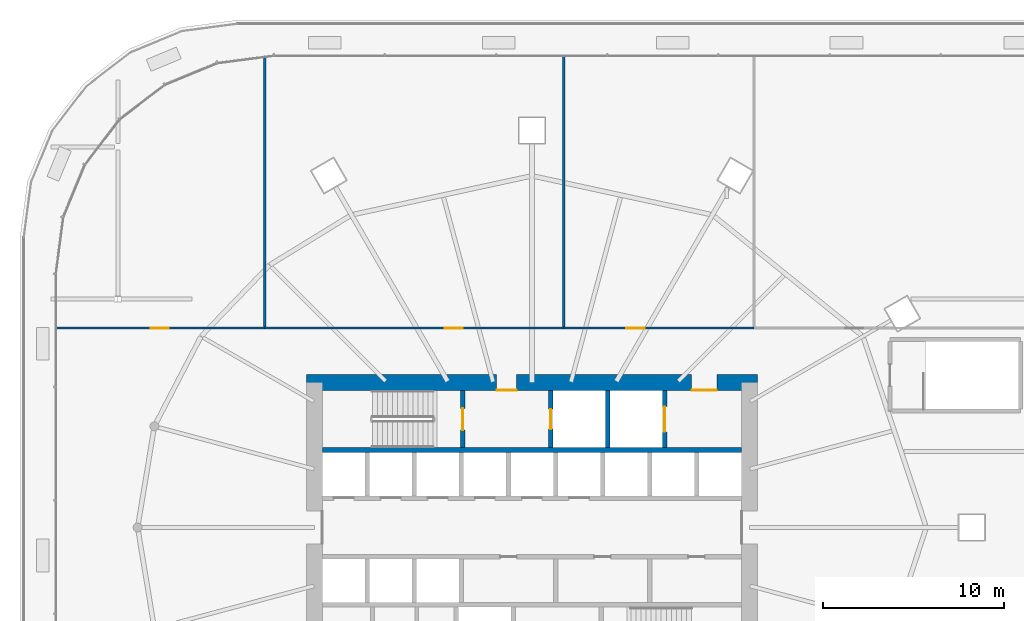
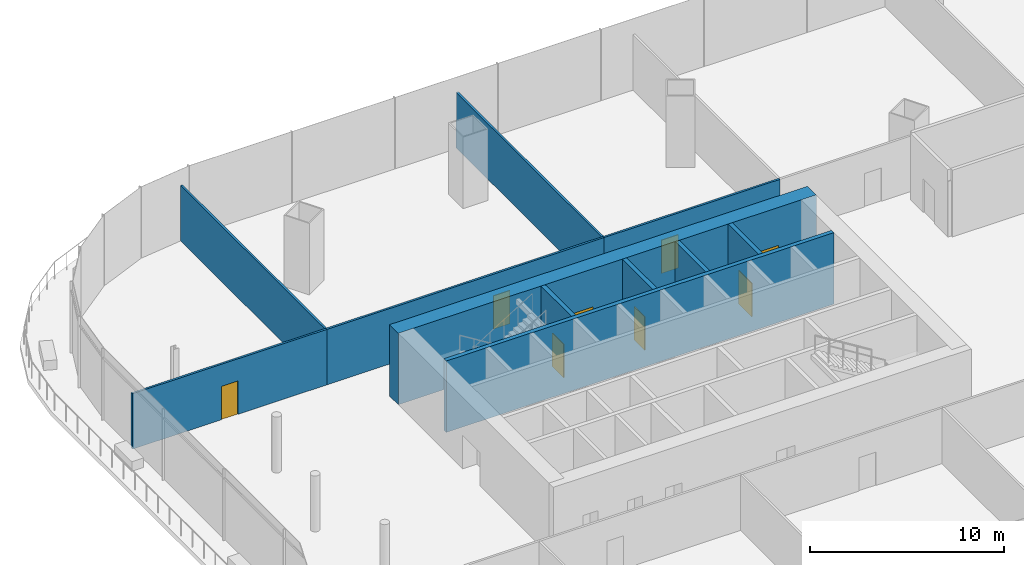
# One storey, part 34 of 49: 11 walls, 8 doors, 8 openings.
"""IFC4 building model written with IfcOpenShell, lengths in metres."""

from ifc_helpers import new_model, si_unit, direction, frame, frame_2d, origin, place, context, subcontext, project, spatial, rectangle, extrude, material, layer, layer_set, type_object, element, fill, save


model = new_model("IFC4")

# Units and contexts
model_context = context("Model", 3, precision=1e-05, world=origin(), true_north=direction((0.0, 1.0)))
body_context = subcontext(model_context, "Body", "Model", "MODEL_VIEW")
ifc_project = project(units=[si_unit("LENGTHUNIT", "METRE"), si_unit("AREAUNIT", "SQUARE_METRE"), si_unit("VOLUMEUNIT", "CUBIC_METRE"), si_unit("PLANEANGLEUNIT", "RADIAN"), si_unit("MASSUNIT", "GRAM", prefix="KILO")], contexts=[model_context])

# Site, building, storey
site_placement = place(None, origin())
site = spatial("IfcSite", under=ifc_project, at=site_placement, CompositionType="ELEMENT")
building_placement = place(site_placement, origin())
building = spatial("IfcBuilding", under=site, at=building_placement, Name="Rimbun Link Towers", CompositionType="ELEMENT")
storey_placement = place(building_placement, frame((0.0, 0.0, 25.5)))
storey = spatial("IfcBuildingStorey", under=building, at=storey_placement, Name="L05", CompositionType="ELEMENT", Elevation=25.5)

# Wall, openings, doors
ifc_material_1 = material(Name="Concrete C60/75", Category="concrete")
ifc_layer_1 = layer(ifc_material_1, 0.89990234375)
ifc_layer_set_1 = layer_set([ifc_layer_1], Name="Core shear wall 900")
wall_type_1 = type_object("IfcWallType", Name="Core shear wall 900", PredefinedType="SHEAR", material=ifc_layer_set_1)
wall_1_placement = place(storey_placement, frame((-44.199951171875, 8.0, 0.0), z_axis=(0.0, 0.0, 1.0), x_axis=(1.0, 0.0, 0.0)))
wall_1 = element("IfcWall", 1, at=wall_1_placement, inside=storey, type_object=wall_type_1, Name="L05 T1 core wall N", PredefinedType="SHEAR", context=body_context, shape_type="SweptSolid", body=[
    extrude(rectangle(XDim=24.89990234375, YDim=0.89990234375, at=frame_2d((12.449951171875, 0.0))), origin(), (0.0, 0.0, 1.0), 4.5),
])
opening_1_placement = place(wall_1_placement, frame((10.5, 0.0, 0.0)))
opening_1 = element("IfcOpeningElement", 2, at=opening_1_placement, cuts=wall_1, Name="Opening C1DCF01N", PredefinedType="OPENING", context=body_context, shape_type="SweptSolid", body=[
    extrude(rectangle(XDim=1.10009765625, YDim=2.10009765625, at=frame_2d((0.550048828125, 1.050048828125))), frame((0.0, 0.4599609375, 0.0), z_axis=(0.0, -1.0, 0.0), x_axis=(1.0, 0.0, 0.0)), (0.0, 0.0, 1.0), 0.919921875),
])
opening_2_placement = place(wall_1_placement, frame((21.25, 0.0, 0.0)))
opening_2 = element("IfcOpeningElement", 3, at=opening_2_placement, cuts=wall_1, Name="Opening C1DSL02N", PredefinedType="OPENING", context=body_context, shape_type="SweptSolid", body=[
    extrude(rectangle(XDim=1.39990234375, YDim=2.10009765625, at=frame_2d((0.699951171875, 1.050048828125))), frame((0.0, 0.4599609375, 0.0), z_axis=(0.0, -1.0, 0.0), x_axis=(1.0, 0.0, 0.0)), (0.0, 0.0, 1.0), 0.919921875),
])
ifc_material_2 = material(Name="Steel fire door set", Category="steel")
door_type_1 = type_object("IfcDoorType", Name="Core fire door single", OperationType="SINGLE_SWING_LEFT", PredefinedType="DOOR", material=ifc_material_2)
door_1_placement = place(opening_1_placement, origin())
door_1 = element("IfcDoor", 4, at=door_1_placement, inside=storey, type_object=door_type_1, Name="L05 T1 firefighting lobby n door", OperationType="SINGLE_SWING_LEFT", OverallHeight=2.10009765625, OverallWidth=1.10009765625, PredefinedType="DOOR", context=body_context, shape_type="SweptSolid", body=[
    extrude(rectangle(XDim=1.10009765625, YDim=2.10009765625, at=frame_2d((0.550048828125, 1.050048828125))), frame((0.0, -0.39990234375, 0.0), z_axis=(0.0, -1.0, 0.0), x_axis=(1.0, 0.0, 0.0)), (0.0, 0.0, 1.0), 0.050048828125),
])
fill(opening_1, door_1)
ifc_material_3 = material(Name="Steel fire door set", Category="steel")
door_type_2 = type_object("IfcDoorType", Name="Service lobby door double", OperationType="DOUBLE_DOOR_SINGLE_SWING", PredefinedType="DOOR", material=ifc_material_3)
door_2_placement = place(opening_2_placement, origin())
door_2 = element("IfcDoor", 5, at=door_2_placement, inside=storey, type_object=door_type_2, Name="L05 T1 service lobby door", OperationType="DOUBLE_DOOR_SINGLE_SWING", OverallHeight=2.10009765625, OverallWidth=1.39990234375, PredefinedType="DOOR", context=body_context, shape_type="SweptSolid", body=[
    extrude(rectangle(XDim=1.39990234375, YDim=2.10009765625, at=frame_2d((0.699951171875, 1.050048828125))), frame((0.0, -0.39990234375, 0.0), z_axis=(0.0, -1.0, 0.0), x_axis=(1.0, 0.0, 0.0)), (0.0, 0.0, 1.0), 0.050048828125),
])
fill(opening_2, door_2)

# Wall, opening, door
ifc_material_4 = material(Name="Gypsum board on steel studs", Category="steel")
ifc_layer_2 = layer(ifc_material_4, 0.125)
ifc_layer_set_2 = layer_set([ifc_layer_2], Name="Partition 125 board on studs")
wall_type_2 = type_object("IfcWallType", Name="Partition 125 board on studs", PredefinedType="PARTITIONING", material=ifc_layer_set_2)
wall_2_placement = place(storey_placement, frame((-46.5, 11.0, 0.0), z_axis=(0.0, 0.0, 1.0), x_axis=(-1.0, 0.0, 0.0)))
wall_2 = element("IfcWall", 6, at=wall_2_placement, inside=storey, type_object=wall_type_2, Name="PD/PW/L05/038", PredefinedType="PARTITIONING", context=body_context, shape_type="SweptSolid", body=[
    extrude(rectangle(XDim=11.580078125, YDim=0.125, at=frame_2d((5.7900390625, 0.0))), origin(), (0.0, 0.0, 1.0), 3.49609375),
])
opening_3_placement = place(wall_2_placement, frame((5.2900390625, 0.0, 0.0)))
opening_3 = element("IfcOpeningElement", 7, at=opening_3_placement, cuts=wall_2, Name="Opening PD D05.16", PredefinedType="OPENING", context=body_context, shape_type="SweptSolid", body=[
    extrude(rectangle(XDim=1.0, YDim=2.10009765625, at=frame_2d((0.5, 1.050048828125))), frame((0.0, 0.072509765625, 0.0), z_axis=(0.0, -1.0, 0.0), x_axis=(1.0, 0.0, 0.0)), (0.0, 0.0, 1.0), 0.14501953125),
])
ifc_material_5 = material(Name="Timber door set", Category="wood")
door_type_3 = type_object("IfcDoorType", Name="Door single leaf 1000 x 2100", OperationType="NOTDEFINED", PredefinedType="DOOR", material=ifc_material_5)
door_3_placement = place(opening_3_placement, origin())
door_3 = element("IfcDoor", 8, at=door_3_placement, inside=storey, type_object=door_type_3, Name="PD/DR/L05/016", OperationType="SINGLE_SWING_LEFT", OverallHeight=2.10009765625, OverallWidth=1.0, PredefinedType="DOOR", context=body_context, shape_type="SweptSolid", body=[
    extrude(rectangle(XDim=1.0, YDim=2.10009765625, at=frame_2d((0.5, 1.050048828125))), frame((0.0, 0.02490234375, 0.0), z_axis=(0.0, -1.0, 0.0), x_axis=(1.0, 0.0, 0.0)), (0.0, 0.0, 1.0), 0.050048828125),
])
fill(opening_3, door_3)

wall_3_placement = place(storey_placement, frame((-30.0, 11.0, 0.0), z_axis=(0.0, 0.0, 1.0), x_axis=(-1.0, 0.0, 0.0)))
wall_3 = element("IfcWall", 9, at=wall_3_placement, inside=storey, type_object=wall_type_2, Name="PD/PW/L05/039", PredefinedType="PARTITIONING", context=body_context, shape_type="SweptSolid", body=[
    extrude(rectangle(XDim=16.5, YDim=0.125, at=frame_2d((8.25, 0.0))), origin(), (0.0, 0.0, 1.0), 3.49609375),
])
opening_4_placement = place(wall_3_placement, frame((5.56005859375, 0.0, 0.0)))
opening_4 = element("IfcOpeningElement", 10, at=opening_4_placement, cuts=wall_3, Name="Opening PD D05.17", PredefinedType="OPENING", context=body_context, shape_type="SweptSolid", body=[
    extrude(rectangle(XDim=1.0, YDim=2.10009765625, at=frame_2d((0.5, 1.050048828125))), frame((0.0, 0.072509765625, 0.0), z_axis=(0.0, -1.0, 0.0), x_axis=(1.0, 0.0, 0.0)), (0.0, 0.0, 1.0), 0.14501953125),
])
door_4_placement = place(opening_4_placement, origin())
door_4 = element("IfcDoor", 11, at=door_4_placement, inside=storey, type_object=door_type_3, Name="PD/DR/L05/017", OperationType="SINGLE_SWING_RIGHT", OverallHeight=2.10009765625, OverallWidth=1.0, PredefinedType="DOOR", context=body_context, shape_type="SweptSolid", body=[
    extrude(rectangle(XDim=1.0, YDim=2.10009765625, at=frame_2d((0.5, 1.050048828125))), frame((0.0, 0.02490234375, 0.0), z_axis=(0.0, -1.0, 0.0), x_axis=(1.0, 0.0, 0.0)), (0.0, 0.0, 1.0), 0.050048828125),
])
fill(opening_4, door_4)

wall_4_placement = place(storey_placement, frame((-19.5, 11.0, 0.0), z_axis=(0.0, 0.0, 1.0), x_axis=(-1.0, 0.0, 0.0)))
wall_4 = element("IfcWall", 12, at=wall_4_placement, inside=storey, type_object=wall_type_2, Name="PD/PW/L05/040", PredefinedType="PARTITIONING", context=body_context, shape_type="SweptSolid", body=[
    extrude(rectangle(XDim=10.5, YDim=0.125, at=frame_2d((5.25, 0.0))), origin(), (0.0, 0.0, 1.0), 3.49609375),
])
opening_5_placement = place(wall_4_placement, frame((6.0400390625, 0.0, 0.0)))
opening_5 = element("IfcOpeningElement", 13, at=opening_5_placement, cuts=wall_4, Name="Opening PD D05.18", PredefinedType="OPENING", context=body_context, shape_type="SweptSolid", body=[
    extrude(rectangle(XDim=1.0, YDim=2.10009765625, at=frame_2d((0.5, 1.050048828125))), frame((0.0, 0.072509765625, 0.0), z_axis=(0.0, -1.0, 0.0), x_axis=(1.0, 0.0, 0.0)), (0.0, 0.0, 1.0), 0.14501953125),
])
door_5_placement = place(opening_5_placement, origin())
door_5 = element("IfcDoor", 14, at=door_5_placement, inside=storey, type_object=door_type_3, Name="PD/DR/L05/018", OperationType="SINGLE_SWING_LEFT", OverallHeight=2.10009765625, OverallWidth=1.0, PredefinedType="DOOR", context=body_context, shape_type="SweptSolid", body=[
    extrude(rectangle(XDim=1.0, YDim=2.10009765625, at=frame_2d((0.5, 1.050048828125))), frame((0.0, 0.02490234375, 0.0), z_axis=(0.0, -1.0, 0.0), x_axis=(1.0, 0.0, 0.0)), (0.0, 0.0, 1.0), 0.050048828125),
])
fill(opening_5, door_5)

# Walls
wall_5_placement = place(storey_placement, frame((-46.5, 11.0625, 0.0), z_axis=(0.0, 0.0, 1.0), x_axis=(0.0, 1.0, 0.0)))
element("IfcWall", 15, at=wall_5_placement, inside=storey, type_object=wall_type_2, Name="PD/PW/L05/068", PredefinedType="PARTITIONING", context=body_context, shape_type="SweptSolid", body=[
    extrude(rectangle(XDim=14.87158203125, YDim=0.125, at=frame_2d((7.435791015625, 0.0))), origin(), (0.0, 0.0, 1.0), 3.49609375),
])
wall_6_placement = place(storey_placement, frame((-30.0, 11.0625, 0.0), z_axis=(0.0, 0.0, 1.0), x_axis=(0.0, 1.0, 0.0)))
element("IfcWall", 16, at=wall_6_placement, inside=storey, type_object=wall_type_2, Name="PD/PW/L05/069", PredefinedType="PARTITIONING", context=body_context, shape_type="SweptSolid", body=[
    extrude(rectangle(XDim=15.017578125, YDim=0.125, at=frame_2d((7.5087890625, 0.0))), origin(), (0.0, 0.0, 1.0), 3.49609375),
])
ifc_material_6 = material(Name="Concrete C60/75", Category="concrete")
ifc_layer_3 = layer(ifc_material_6, 0.25)
ifc_layer_set_3 = layer_set([ifc_layer_3], Name="Shaft wall 250")
wall_type_3 = type_object("IfcWallType", Name="Shaft wall 250", PredefinedType="SHEAR", material=ifc_layer_set_3)
wall_7_placement = place(storey_placement, frame((-43.300048828125, 4.27490234375, 0.0), z_axis=(0.0, 0.0, 1.0), x_axis=(1.0, 0.0, 0.0)))
element("IfcWall", 17, at=wall_7_placement, inside=storey, type_object=wall_type_3, Name="L05 T1 core wall BN", PredefinedType="SHEAR", context=body_context, shape_type="SweptSolid", body=[
    extrude(rectangle(XDim=23.10009765625, YDim=0.25, at=frame_2d((11.550048828125, 0.0))), origin(), (0.0, 0.0, 1.0), 4.5),
])

# Wall, opening, door
wall_8_placement = place(storey_placement, frame((-35.574951171875, 4.39990234375, 0.0), z_axis=(0.0, 0.0, 1.0), x_axis=(0.0, 1.0, 0.0)))
wall_8 = element("IfcWall", 18, at=wall_8_placement, inside=storey, type_object=wall_type_3, Name="L05 T1 core wall A1", PredefinedType="SHEAR", context=body_context, shape_type="SweptSolid", body=[
    extrude(rectangle(XDim=3.150146484375, YDim=0.25, at=frame_2d((1.5751953125, 0.0))), origin(), (0.0, 0.0, 1.0), 4.5),
])
opening_6_placement = place(wall_8_placement, frame((0.97509765625, 0.0, 0.0)))
opening_6 = element("IfcOpeningElement", 19, at=opening_6_placement, cuts=wall_8, Name="Opening C1DST01A1", PredefinedType="OPENING", context=body_context, shape_type="SweptSolid", body=[
    extrude(rectangle(XDim=1.199951171875, YDim=2.10009765625, at=frame_2d((0.60009765625, 1.050048828125))), frame((0.0, 0.135009765625, 0.0), z_axis=(0.0, -1.0, 0.0), x_axis=(1.0, 0.0, 0.0)), (0.0, 0.0, 1.0), 0.27001953125),
])
ifc_material_7 = material(Name="Steel fire door set", Category="steel")
door_type_4 = type_object("IfcDoorType", Name="Stair door", OperationType="SINGLE_SWING_LEFT", PredefinedType="DOOR", material=ifc_material_7)
door_6_placement = place(opening_6_placement, origin())
door_6 = element("IfcDoor", 20, at=door_6_placement, inside=storey, type_object=door_type_4, Name="L05 T1 stair a door", OperationType="SINGLE_SWING_RIGHT", OverallHeight=2.10009765625, OverallWidth=1.199951171875, PredefinedType="DOOR", context=body_context, shape_type="SweptSolid", body=[
    extrude(rectangle(XDim=1.199951171875, YDim=2.10009765625, at=frame_2d((0.60009765625, 1.050048828125))), frame((0.0, 0.02490234375, 0.0), z_axis=(0.0, -1.0, 0.0), x_axis=(1.0, 0.0, 0.0)), (0.0, 0.0, 1.0), 0.050048828125),
])
fill(opening_6, door_6)

wall_9_placement = place(storey_placement, frame((-30.72509765625, 4.39990234375, 0.0), z_axis=(0.0, 0.0, 1.0), x_axis=(0.0, 1.0, 0.0)))
wall_9 = element("IfcWall", 21, at=wall_9_placement, inside=storey, type_object=wall_type_3, Name="L05 T1 core wall A2", PredefinedType="SHEAR", context=body_context, shape_type="SweptSolid", body=[
    extrude(rectangle(XDim=3.150146484375, YDim=0.25, at=frame_2d((1.5751953125, 0.0))), origin(), (0.0, 0.0, 1.0), 4.5),
])
opening_7_placement = place(wall_9_placement, frame((1.02490234375, 0.0, 0.0)))
opening_7 = element("IfcOpeningElement", 22, at=opening_7_placement, cuts=wall_9, Name="Opening LD-T1-FF1", PredefinedType="OPENING", context=body_context, shape_type="SweptSolid", body=[
    extrude(rectangle(XDim=1.10009765625, YDim=2.10009765625, at=frame_2d((0.550048828125, 1.050048828125))), frame((0.0, 0.135009765625, 0.0), z_axis=(0.0, -1.0, 0.0), x_axis=(1.0, 0.0, 0.0)), (0.0, 0.0, 1.0), 0.27001953125),
])
ifc_material_8 = material(Name="Stainless steel grade 316", Category="steel")
door_type_5 = type_object("IfcDoorType", Name="Lift landing door", OperationType="DOUBLE_DOOR_SLIDING", PredefinedType="DOOR", material=ifc_material_8)
door_7_placement = place(opening_7_placement, origin())
door_7 = element("IfcDoor", 23, at=door_7_placement, inside=storey, type_object=door_type_5, Name="L05 T1 lift FF1 landing door", OperationType="DOUBLE_DOOR_SLIDING", OverallHeight=2.10009765625, OverallWidth=1.10009765625, PredefinedType="DOOR", context=body_context, shape_type="SweptSolid", body=[
    extrude(rectangle(XDim=1.10009765625, YDim=2.10009765625, at=frame_2d((0.550048828125, 1.050048828125))), frame((0.0, 0.02490234375, 0.0), z_axis=(0.0, -1.0, 0.0), x_axis=(1.0, 0.0, 0.0)), (0.0, 0.0, 1.0), 0.050048828125),
])
fill(opening_7, door_7)

# Wall
wall_10_placement = place(storey_placement, frame((-27.574951171875, 4.39990234375, 0.0), z_axis=(0.0, 0.0, 1.0), x_axis=(0.0, 1.0, 0.0)))
element("IfcWall", 24, at=wall_10_placement, inside=storey, type_object=wall_type_3, Name="L05 T1 core wall A3", PredefinedType="SHEAR", context=body_context, shape_type="SweptSolid", body=[
    extrude(rectangle(XDim=3.150146484375, YDim=0.25, at=frame_2d((1.5751953125, 0.0))), origin(), (0.0, 0.0, 1.0), 4.5),
])

# Wall, opening, door
wall_11_placement = place(storey_placement, frame((-24.425048828125, 4.39990234375, 0.0), z_axis=(0.0, 0.0, 1.0), x_axis=(0.0, 1.0, 0.0)))
wall_11 = element("IfcWall", 25, at=wall_11_placement, inside=storey, type_object=wall_type_3, Name="L05 T1 core wall A4", PredefinedType="SHEAR", context=body_context, shape_type="SweptSolid", body=[
    extrude(rectangle(XDim=3.150146484375, YDim=0.25, at=frame_2d((1.5751953125, 0.0))), origin(), (0.0, 0.0, 1.0), 4.5),
])
opening_8_placement = place(wall_11_placement, frame((0.875, 0.0, 0.0)))
opening_8 = element("IfcOpeningElement", 26, at=opening_8_placement, cuts=wall_11, Name="Opening LD-T1-GL1", PredefinedType="OPENING", context=body_context, shape_type="SweptSolid", body=[
    extrude(rectangle(XDim=1.39990234375, YDim=2.10009765625, at=frame_2d((0.699951171875, 1.050048828125))), frame((0.0, 0.135009765625, 0.0), z_axis=(0.0, -1.0, 0.0), x_axis=(1.0, 0.0, 0.0)), (0.0, 0.0, 1.0), 0.27001953125),
])
ifc_material_9 = material(Name="Stainless steel grade 316", Category="steel")
door_type_6 = type_object("IfcDoorType", Name="Goods lift landing door", OperationType="DOUBLE_DOOR_SLIDING", PredefinedType="DOOR", material=ifc_material_9)
door_8_placement = place(opening_8_placement, origin())
door_8 = element("IfcDoor", 27, at=door_8_placement, inside=storey, type_object=door_type_6, Name="L05 T1 lift GL1 landing door", OperationType="DOUBLE_DOOR_SLIDING", OverallHeight=2.10009765625, OverallWidth=1.39990234375, PredefinedType="DOOR", context=body_context, shape_type="SweptSolid", body=[
    extrude(rectangle(XDim=1.39990234375, YDim=2.10009765625, at=frame_2d((0.699951171875, 1.050048828125))), frame((0.0, 0.02490234375, 0.0), z_axis=(0.0, -1.0, 0.0), x_axis=(1.0, 0.0, 0.0)), (0.0, 0.0, 1.0), 0.050048828125),
])
fill(opening_8, door_8)

save(model, "model.ifc")
